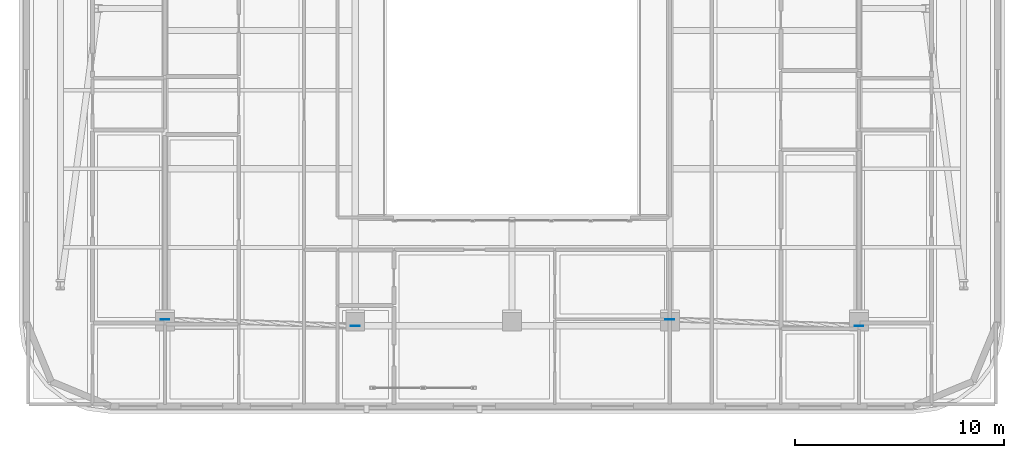
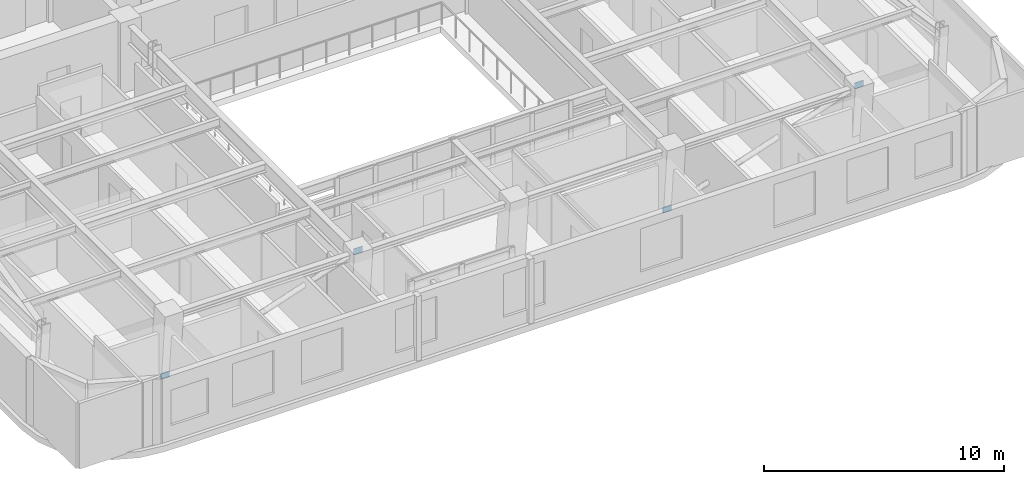
# One storey, part 5 of 14: 4 plates.
"""IFC4 building model written with IfcOpenShell, lengths in metres."""

from ifc_helpers import new_model, si_unit, direction, frame, origin, origin_2d, place, context, subcontext, project, spatial, rectangle, extrude, material, layer, layer_set, type_object, element, save


model = new_model("IFC4")

# Units and contexts
model_context = context("Model", 3, precision=1e-05, world=origin(), true_north=direction((0.0, 1.0)))
body_context = subcontext(model_context, "Body", "Model", "MODEL_VIEW")
ifc_project = project(units=[si_unit("LENGTHUNIT", "METRE"), si_unit("AREAUNIT", "SQUARE_METRE"), si_unit("VOLUMEUNIT", "CUBIC_METRE"), si_unit("PLANEANGLEUNIT", "RADIAN"), si_unit("MASSUNIT", "GRAM", prefix="KILO")], contexts=[model_context])

# Site, building, storey
site_placement = place(None, origin())
site = spatial("IfcSite", under=ifc_project, at=site_placement, CompositionType="ELEMENT")
building_placement = place(site_placement, origin())
building = spatial("IfcBuilding", under=site, at=building_placement, Name="Zarnavel Station Tower", CompositionType="ELEMENT")
storey_placement = place(building_placement, frame((0.0, 0.0, 193.199951171875)))
storey = spatial("IfcBuildingStorey", under=building, at=storey_placement, Name="L52", CompositionType="ELEMENT", Elevation=193.199951171875)

# Plates
ifc_material = material(Name="Steel S460M", Category="steel")
ifc_layer = layer(ifc_material, 0.02490234375)
ifc_layer_set = layer_set([ifc_layer], Name="GP_GUSSET_25")
plate_type = type_object("IfcPlateType", Name="GP_GUSSET_25", PredefinedType="USERDEFINED", material=ifc_layer_set)
for number, where, z_axis, x_axis, name in (
    (1, (12.199951171875, 8.72021484375, -0.14990234375), (0.0, 0.0, 1.0), (1.0, 0.0, 0.0), "L52 Exterior Diagonal Brace End Gusset 1-1"),
    (2, (21.300048828125, 8.41748046875, 3.18994140625), (0.0, 0.0, 1.0), (1.0, 0.0, 0.0), "L52 Exterior Diagonal Brace End Gusset 1-2"),
    (3, (36.35009765625, 8.72021484375, -0.14990234375), (0.0, 0.0, 1.0), (1.0, 0.0, 0.0), "L52 Exterior Diagonal Brace End Gusset 2-1"),
    (4, (45.39990234375, 8.41748046875, 3.18994140625), (0.0, 0.0, 1.0), (1.0, 0.0, 0.0), "L52 Exterior Diagonal Brace End Gusset 2-2"),
):
    element("IfcPlate", number, at=place(storey_placement, frame(where, z_axis=z_axis, x_axis=x_axis)), inside=storey, type_object=plate_type, Name=name, ObjectType="GUSSET_PLATE", PredefinedType="USERDEFINED", context=body_context, shape_type="SweptSolid", body=[
        extrude(rectangle(XDim=0.419921875, YDim=0.02490234375, at=origin_2d()), origin(), (0.0, 0.0, 1.0), 0.300048828125),
    ])

save(model, "model.ifc")
